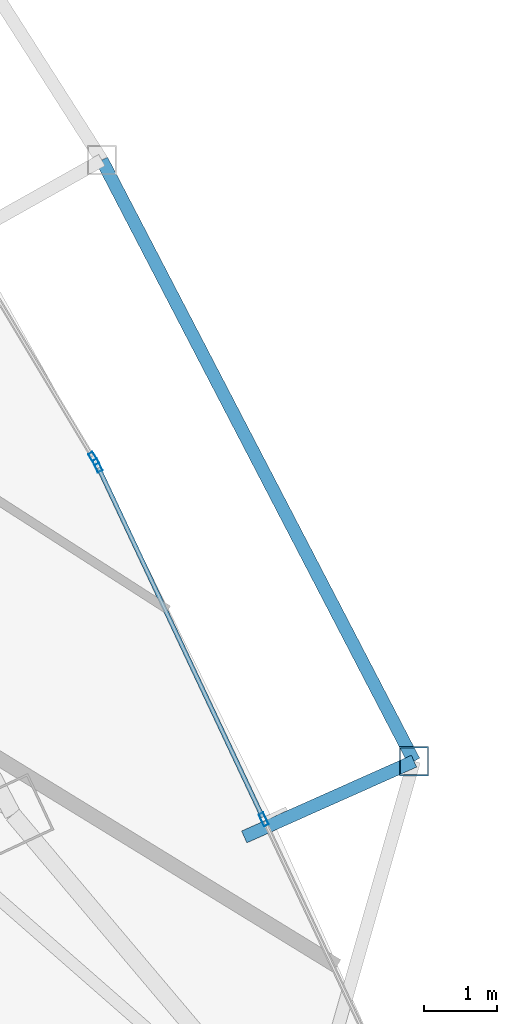
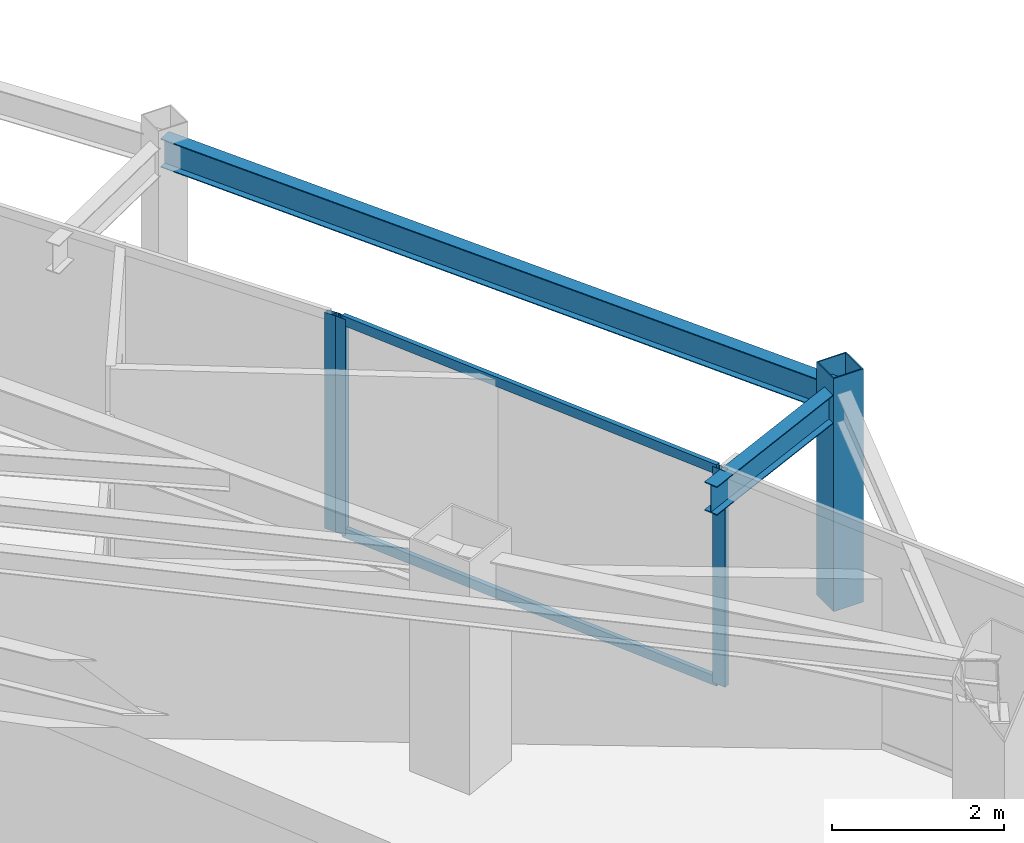
# One storey, part 17 of 29: 6 members, 2 beams, 2 elements without a shape of their own.
"""IFC4 building model written with IfcOpenShell, lengths in metres."""

import ifcopenshell
import ifcopenshell.guid

model = None  # the IFC model being written
_history = None  # IfcOwnerHistory: only IFC2X3 demands one
_inside = {}  # id of a spatial element -> (the spatial element, [elements in it])
_under = {}  # id of a project, library or spatial element -> (it, [spatial elements below it])
_declared = {}  # id of a project -> (the project, [libraries it declares])
_typed = {}  # id of a type object -> (the type object, [elements of that type])
_made_of = {}  # id of a material, layer set ... -> (it, [elements and type objects made of it])


def new_model(schema):
    """Start an empty IFC model of exactly this schema.

    Asked for "IFC4X3", IfcOpenShell would pick the latest addendum, in which some entities
    have other attributes; the version numbers below select the first issue.
    IFC2X3 requires an IfcOwnerHistory on every rooted entity: one is made here for all.
    """
    global model, _history
    if schema == "IFC4X3":
        model = ifcopenshell.file(schema_version=(4, 3, 0, 0))
    else:
        model = ifcopenshell.file(schema=schema)
    _inside.clear()
    _under.clear()
    _declared.clear()
    _typed.clear()
    _made_of.clear()
    _history = None
    if model.schema == "IFC2X3":
        org = make("IfcOrganization", Name="unknown")
        user = make(
            "IfcPersonAndOrganization",
            ThePerson=make("IfcPerson", FamilyName="unknown"),
            TheOrganization=org,
        )
        app = make(
            "IfcApplication",
            ApplicationDeveloper=org,
            Version="unknown",
            ApplicationFullName="unknown",
            ApplicationIdentifier="unknown",
        )
        _history = make(
            "IfcOwnerHistory",
            OwningUser=user,
            OwningApplication=app,
            ChangeAction="ADDED",
            CreationDate=0,
        )
    return model


def make(cls, **values):
    """One entity of the class cls with the attributes given. An attribute that is None is left unset."""
    return model.create_entity(
        cls, **{name: value for name, value in values.items() if value is not None}
    )


def rooted(cls, **values):
    """An entity with a GlobalId (a new one), such as an element, a storey or a relation."""
    return make(cls, GlobalId=ifcopenshell.guid.new(), OwnerHistory=_history, **values)


def si_unit(unit_type, name, prefix=None):
    """IfcSIUnit, for example si_unit("LENGTHUNIT", "METRE", prefix="MILLI")."""
    return make("IfcSIUnit", UnitType=unit_type, Prefix=prefix, Name=name)


def assignment(units):
    """IfcUnitAssignment: the units of a project."""
    return None if units is None else make("IfcUnitAssignment", Units=units)


def point(xyz):
    """IfcCartesianPoint."""
    return None if xyz is None else make("IfcCartesianPoint", Coordinates=xyz)


def direction(xyz):
    """IfcDirection."""
    return None if xyz is None else make("IfcDirection", DirectionRatios=xyz)


def frame(location, z_axis=None, x_axis=None):
    """IfcAxis2Placement3D, a coordinate frame: its origin and axes. An axis left out is left unset."""
    return make(
        "IfcAxis2Placement3D",
        Location=point(location),
        Axis=direction(z_axis),
        RefDirection=direction(x_axis),
    )


def frame_2d(location, x_axis=None):
    """IfcAxis2Placement2D, a coordinate frame in the plane: its origin and x axis."""
    return make(
        "IfcAxis2Placement2D", Location=point(location), RefDirection=direction(x_axis)
    )


def origin():
    """The frame at (0, 0, 0) with its axes left unset."""
    return frame((0.0, 0.0, 0.0))


def origin_2d():
    """The frame at (0, 0) in the plane with its x axis left unset."""
    return frame_2d((0.0, 0.0))


def place(relative_to, where):
    """IfcLocalPlacement: puts the frame where relative to a parent placement (None: the world)."""
    return make(
        "IfcLocalPlacement", PlacementRelTo=relative_to, RelativePlacement=where
    )


def context(
    kind, dimensions, precision=None, world=None, true_north=None, identifier=None
):
    """IfcGeometricRepresentationContext, for example the 3D "Model" context."""
    return make(
        "IfcGeometricRepresentationContext",
        ContextIdentifier=identifier,
        ContextType=kind,
        CoordinateSpaceDimension=dimensions,
        Precision=precision,
        WorldCoordinateSystem=world,
        TrueNorth=true_north,
    )


def subcontext(parent, identifier, kind, view, scale=None):
    """IfcGeometricRepresentationSubContext, for example "Body" below "Model"."""
    return make(
        "IfcGeometricRepresentationSubContext",
        ContextIdentifier=identifier,
        ContextType=kind,
        ParentContext=parent,
        TargetScale=scale,
        TargetView=view,
    )


def project(units=None, contexts=None):
    """IfcProject with its units and contexts."""
    return rooted(
        "IfcProject",
        Name="project",
        RepresentationContexts=contexts,
        UnitsInContext=assignment(units),
    )


def spatial(cls, under=None, at=None, **own):
    """A site, building, storey or space (cls), placed at a placement, below another one or the project."""
    s = rooted(cls, ObjectPlacement=at, **own)
    if under is not None:
        _under.setdefault(under.id(), (under, []))[1].append(s)
    return s


def profile(cls, at=None, kind="AREA", **sizes):
    """A parametric profile (cls). Its sizes go by their IFC names, for example OverallWidth=200.0."""
    return make(cls, ProfileType=kind, Position=at, **sizes)


def hollow_rectangle(**sizes):
    """IfcRectangleHollowProfileDef."""
    return profile("IfcRectangleHollowProfileDef", **sizes)


def i_section(**sizes):
    """IfcIShapeProfileDef."""
    return profile("IfcIShapeProfileDef", **sizes)


def extrude(swept, where, along, depth):
    """IfcExtrudedAreaSolid: the profile swept, set in the frame where, extruded along a direction by depth."""
    return make(
        "IfcExtrudedAreaSolid",
        SweptArea=swept,
        Position=where,
        ExtrudedDirection=direction(along),
        Depth=depth,
    )


def shape(context_of_items, identifier, shape_type, items):
    """IfcShapeRepresentation: the items that make up one representation, for example the "Body"."""
    return make(
        "IfcShapeRepresentation",
        ContextOfItems=context_of_items,
        RepresentationIdentifier=identifier,
        RepresentationType=shape_type,
        Items=items,
    )


def material(Name=None, Category=None):
    """IfcMaterial."""
    return make("IfcMaterial", Name=Name, Category=Category)


def layer(
    of_material, thickness, ventilated=None, Name=None, Category=None, Priority=None
):
    """IfcMaterialLayer: one layer of a wall or slab, of a material (None: an air gap)."""
    return make(
        "IfcMaterialLayer",
        Material=of_material,
        LayerThickness=thickness,
        IsVentilated=ventilated,
        Name=Name,
        Category=Category,
        Priority=Priority,
    )


def layer_set(layers, Name=None):
    """IfcMaterialLayerSet."""
    return make("IfcMaterialLayerSet", MaterialLayers=layers, LayerSetName=Name)


def material_profile(
    of_material, cross_section, Name=None, Category=None, Priority=None
):
    """IfcMaterialProfile: a cross section and its material."""
    return make(
        "IfcMaterialProfile",
        Name=Name,
        Material=of_material,
        Profile=cross_section,
        Priority=Priority,
        Category=Category,
    )


def profile_set(profiles, Name=None, composite=None):
    """IfcMaterialProfileSet."""
    return make(
        "IfcMaterialProfileSet",
        Name=Name,
        MaterialProfiles=profiles,
        CompositeProfile=composite,
    )


def made_of(thing, what):
    """Note that an element or type object is made of a material, layer set ...; save() writes the relation."""
    if what is not None:
        _made_of.setdefault(what.id(), (what, []))[1].append(thing)
    return thing


def type_object(cls, material=None, **own):
    """A type object (cls), such as IfcWallType, which elements share."""
    return made_of(rooted(cls, **own), material)


def element(
    cls,
    number,
    at=None,
    inside=None,
    cuts=None,
    type_object=None,
    material=None,
    context=None,
    identifier="Body",
    shape_type=None,
    held_by="IfcProductDefinitionShape",
    body=None,
    shapes=None,
    **own,
):
    """One element of the class cls, such as IfcWall. Its Tag is "e" and its number.

    at: its placement. inside: the storey or other place that contains it. cuts: it is an
    opening in that element (IfcRelVoidsElement). A single representation is given by context,
    identifier, shape_type and body (its items); several are given by shapes. held_by: the class
    of the entity that holds the representations. save() writes the other relations.
    """
    e = rooted(cls, Tag="e%d" % number, ObjectPlacement=at, **own)
    if body is not None:
        shapes = [shape(context, identifier, shape_type, body)]
    if shapes is not None:
        e.Representation = make(held_by, Representations=shapes)
    if inside is not None:
        _inside.setdefault(inside.id(), (inside, []))[1].append(e)
    if cuts is not None:
        rooted(
            "IfcRelVoidsElement", RelatingBuildingElement=cuts, RelatedOpeningElement=e
        )
    if type_object is not None:
        _typed.setdefault(type_object.id(), (type_object, []))[1].append(e)
    return made_of(e, material)


def aggregate(whole, parts):
    """IfcRelAggregates: a whole, such as a stair, and the parts it consists of."""
    return rooted("IfcRelAggregates", RelatingObject=whole, RelatedObjects=parts)


def save(model, path):
    """Write the relations noted so far, then the file.

    IfcRelAggregates (storeys below a building ...), IfcRelContainedInSpatialStructure (elements
    in a storey), IfcRelDefinesByType, IfcRelAssociatesMaterial and IfcRelDeclares: one each for
    every whole, place, type object, material and project.
    """
    for whole, parts in _under.values():
        aggregate(whole, parts)
    for where, things in _inside.values():
        rooted(
            "IfcRelContainedInSpatialStructure",
            RelatedElements=things,
            RelatingStructure=where,
        )
    for kind, things in _typed.values():
        rooted("IfcRelDefinesByType", RelatedObjects=things, RelatingType=kind)
    for what, things in _made_of.values():
        rooted("IfcRelAssociatesMaterial", RelatedObjects=things, RelatingMaterial=what)
    for by, libraries in _declared.values():
        rooted("IfcRelDeclares", RelatingContext=by, RelatedDefinitions=libraries)
    model.write(path)


model = new_model("IFC4")

# Units and contexts
model_context = context("Model", 3, precision=1e-05, world=origin(), true_north=direction((0.0, 1.0)))
body_context = subcontext(model_context, "Body", "Model", "MODEL_VIEW")
ifc_project = project(units=[si_unit("LENGTHUNIT", "METRE"), si_unit("AREAUNIT", "SQUARE_METRE"), si_unit("VOLUMEUNIT", "CUBIC_METRE"), si_unit("PLANEANGLEUNIT", "RADIAN"), si_unit("MASSUNIT", "GRAM", prefix="KILO")], contexts=[model_context])

# Site, building, storey
site_placement = place(None, origin())
site = spatial("IfcSite", under=ifc_project, at=site_placement, CompositionType="ELEMENT")
building_placement = place(site_placement, origin())
building = spatial("IfcBuilding", under=site, at=building_placement, Name="Orvanel Arch Residences", CompositionType="ELEMENT")
storey_placement = place(building_placement, frame((0.0, 0.0, 170.449951171875)))
storey = spatial("IfcBuildingStorey", under=building, at=storey_placement, Name="L48", CompositionType="ELEMENT", Elevation=170.449951171875)

# Curtain wall, members
ifc_material_1 = material(Name="Bronze-anodised aluminium AA6063-T6", Category="aluminium")
ifc_layer = layer(ifc_material_1, 0.179931640625)
ifc_layer_set = layer_set([ifc_layer], Name="Bronze-anodised aluminium AA6063-T6")
curtain_wall_type = type_object("IfcCurtainWallType", Name="CW3-MID-SYS", PredefinedType="NOTDEFINED", material=ifc_layer_set)
curtain_wall_1_placement = place(storey_placement, origin())
curtain_wall_1 = element("IfcCurtainWall", 1, at=curtain_wall_1_placement, inside=storey, type_object=curtain_wall_type, Name="L48 CW3-MID-SYS Unitised Curtain Wall", PredefinedType="NOTDEFINED")
ifc_material_profile_1 = material_profile(ifc_material_1, hollow_rectangle(XDim=0.070068359375, YDim=0.179931640625, WallThickness=0.00439453125, at=origin_2d()), Name="ALU180x70x4.5")
ifc_profile_set_1 = profile_set([ifc_material_profile_1], Name="Bronze-anodised aluminium AA6063-T6")
member_type_1 = type_object("IfcMemberType", Name="MUL-180x70", PredefinedType="MULLION", material=ifc_profile_set_1)
member_1_placement = place(storey_placement, frame((53.074462890625, 19.576904296875, 0.0), z_axis=(0.0, 0.0, 1.0), x_axis=(-0.905089296983, -0.425221547533, 0.0)))
member_1 = element("IfcMember", 2, at=member_1_placement, type_object=member_type_1, Name="CW-S3 mullion 2", PredefinedType="MULLION", context=body_context, shape_type="SweptSolid", body=[
    extrude(hollow_rectangle(XDim=0.070068359375, YDim=0.179931640625, WallThickness=0.00439453125, at=origin_2d()), origin(), (0.0, 0.0, 1.0), 3.06005859375),
])
member_2_placement = place(storey_placement, frame((50.7939453125, 24.431396484375, 0.0), z_axis=(0.0, 0.0, 1.0), x_axis=(-0.905089296983, -0.425221547533, 0.0)))
member_2 = element("IfcMember", 3, at=member_2_placement, type_object=member_type_1, Name="CW-S3 mullion 3", PredefinedType="MULLION", context=body_context, shape_type="SweptSolid", body=[
    extrude(hollow_rectangle(XDim=0.070068359375, YDim=0.179931640625, WallThickness=0.00439453125, at=origin_2d()), origin(), (0.0, 0.0, 1.0), 3.06005859375),
])

# Curtain wall, member
curtain_wall_2_placement = place(storey_placement, origin())
curtain_wall_2 = element("IfcCurtainWall", 4, at=curtain_wall_2_placement, inside=storey, type_object=curtain_wall_type, Name="L48 CW3-MID-SYS Unitised Curtain Wall", PredefinedType="NOTDEFINED")
member_3_placement = place(storey_placement, frame((50.741943359375, 24.528076171875, 0.0), z_axis=(0.0, 0.0, 1.0), x_axis=(-0.857542204558, -0.514413615102, 0.0)))
member_3 = element("IfcMember", 5, at=member_3_placement, type_object=member_type_1, Name="CW-S3 mullion 1", PredefinedType="MULLION", context=body_context, shape_type="SweptSolid", body=[
    extrude(hollow_rectangle(XDim=0.070068359375, YDim=0.179931640625, WallThickness=0.00439453125, at=origin_2d()), origin(), (0.0, 0.0, 1.0), 3.06005859375),
])
aggregate(curtain_wall_2, [member_3])

# Beams
ifc_material_2 = material(Name="Structural steel AS/NZS 3679.1 Grade 300 (300 MPa)", Category="steel")
ifc_material_profile_2 = material_profile(ifc_material_2, i_section(OverallWidth=0.177978515625, OverallDepth=0.406005859375, WebThickness=0.0078125, FlangeThickness=0.0126953125, at=origin_2d()), Name="410UB59.7")
ifc_profile_set_2 = profile_set([ifc_material_profile_2], Name="Structural steel AS/NZS 3679.1 Grade 300 (300 MPa)")
beam_type = type_object("IfcBeamType", Name="OB-410UB-EXT", PredefinedType="SPANDREL", material=ifc_profile_set_2)
beam_1_placement = place(storey_placement, frame((52.806884765625, 19.3369140625, 2.85693359375), z_axis=(0.913242208685, 0.4074170692, 0.0), x_axis=(-0.4074170692, 0.913242208685, 0.0)))
element("IfcBeam", 6, at=beam_1_placement, inside=storey, type_object=beam_type, Name="L48 Outer Frame Radial Tie Beam 09", PredefinedType="SPANDREL", context=body_context, shape_type="SweptSolid", body=[
    extrude(i_section(OverallWidth=0.177978515625, OverallDepth=0.406005859375, WebThickness=0.0078125, FlangeThickness=0.0126953125, at=origin_2d()), origin(), (0.0, 0.0, 1.0), 2.55029296875),
])
beam_2_placement = place(storey_placement, frame((55.135986328125, 20.3759765625, 2.85693359375), z_axis=(-0.460931503578, 0.887435715424, 0.0), x_axis=(-0.887435715424, -0.460931503578, 0.0)))
element("IfcBeam", 7, at=beam_2_placement, inside=storey, type_object=beam_type, Name="L48 Outer Perimeter Floor Ring Beam 09", PredefinedType="SPANDREL", context=body_context, shape_type="SweptSolid", body=[
    extrude(i_section(OverallWidth=0.177978515625, OverallDepth=0.406005859375, WebThickness=0.0078125, FlangeThickness=0.0126953125, at=origin_2d()), origin(), (0.0, 0.0, 1.0), 9.289794921875),
])

# Member
ifc_material_3 = material(Name="Structural steel AS/NZS 1163 C450L0 (Grade 450)", Category="steel")
ifc_material_profile_3 = material_profile(ifc_material_3, hollow_rectangle(XDim=0.39990234375, YDim=0.39990234375, WallThickness=0.01611328125, at=origin_2d()), Name="SHS400x400x16")
ifc_profile_set_3 = profile_set([ifc_material_profile_3], Name="Structural steel AS/NZS 1163 C450L0 (Grade 450)")
member_type_2 = type_object("IfcMemberType", Name="ST-400SHS-EXT", PredefinedType="STRUT", material=ifc_profile_set_3)
member_4_placement = place(storey_placement, frame((55.135986328125, 20.3759765625, 0.0), z_axis=(0.0, 0.0, 1.0), x_axis=(1.0, 0.0, 0.0)))
element("IfcMember", 8, at=member_4_placement, inside=storey, type_object=member_type_2, Name="L48 Outer Perimeter Frame Post 09", PredefinedType="STRUT", context=body_context, shape_type="SweptSolid", body=[
    extrude(hollow_rectangle(XDim=0.39990234375, YDim=0.39990234375, WallThickness=0.01611328125, at=origin_2d()), origin(), (0.0, 0.0, 1.0), 3.300048828125),
])

ifc_material_profile_4 = material_profile(ifc_material_1, hollow_rectangle(XDim=0.06005859375, YDim=0.135009765625, WallThickness=0.00390625, at=origin_2d()), Name="ALU135x60x4")
ifc_profile_set_4 = profile_set([ifc_material_profile_4], Name="Bronze-anodised aluminium AA6063-T6")
member_type_3 = type_object("IfcMemberType", Name="TRN-135x60", PredefinedType="USERDEFINED", material=ifc_profile_set_4)
member_5_placement = place(storey_placement, frame((53.0595703125, 19.608642578125, 0.030029296875), z_axis=(-0.425199446984, 0.90509967975, 0.0), x_axis=(-0.90509967975, -0.425199446984, 0.0)))
member_5 = element("IfcMember", 9, at=member_5_placement, type_object=member_type_3, Name="CW-S3 transom 2.1", ObjectType="TRANSOM", PredefinedType="USERDEFINED", context=body_context, shape_type="SweptSolid", body=[
    extrude(hollow_rectangle(XDim=0.06005859375, YDim=0.135009765625, WallThickness=0.00390625, at=origin_2d()), origin(), (0.0, 0.0, 1.0), 5.29345703125),
])

member_6_placement = place(storey_placement, frame((53.0595703125, 19.608642578125, 3.030029296875), z_axis=(-0.425199446984, 0.90509967975, 0.0), x_axis=(-0.90509967975, -0.425199446984, 0.0)))
member_6 = element("IfcMember", 10, at=member_6_placement, type_object=member_type_3, Name="CW-S3 transom 2.2", ObjectType="TRANSOM", PredefinedType="USERDEFINED", context=body_context, shape_type="SweptSolid", body=[
    extrude(hollow_rectangle(XDim=0.06005859375, YDim=0.135009765625, WallThickness=0.00390625, at=origin_2d()), origin(), (0.0, 0.0, 1.0), 5.29345703125),
])

aggregate(curtain_wall_1, [member_1, member_2, member_5, member_6])

save(model, "model.ifc")
